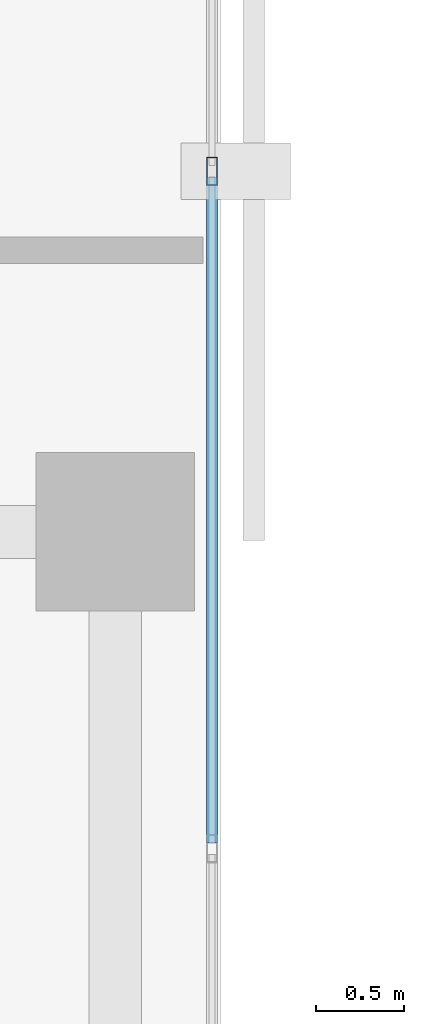
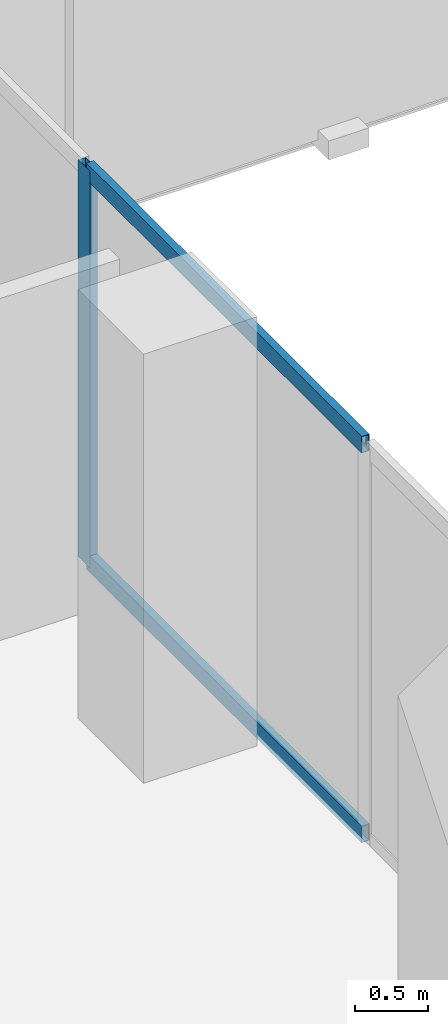
# One storey, part 8 of 34: 3 members, 1 element without a shape of its own.
"""IFC4 building model written with IfcOpenShell, lengths in metres."""

from ifc_helpers import new_model, si_unit, direction, frame, origin, origin_2d, place, context, subcontext, project, spatial, hollow_rectangle, extrude, material, layer, layer_set, material_profile, profile_set, type_object, element, aggregate, save


model = new_model("IFC4")

# Units and contexts
model_context = context("Model", 3, precision=1e-05, world=origin(), true_north=direction((0.0, 1.0)))
body_context = subcontext(model_context, "Body", "Model", "MODEL_VIEW")
ifc_project = project(units=[si_unit("LENGTHUNIT", "METRE"), si_unit("AREAUNIT", "SQUARE_METRE"), si_unit("VOLUMEUNIT", "CUBIC_METRE"), si_unit("PLANEANGLEUNIT", "RADIAN"), si_unit("MASSUNIT", "GRAM", prefix="KILO")], contexts=[model_context])

# Site, building, storey
site_placement = place(None, origin())
site = spatial("IfcSite", under=ifc_project, at=site_placement, CompositionType="ELEMENT")
building_placement = place(site_placement, origin())
building = spatial("IfcBuilding", under=site, at=building_placement, Name="Catumbela Crestline Tower", CompositionType="ELEMENT")
storey_placement = place(building_placement, frame((0.0, 0.0, 111.6)))
storey = spatial("IfcBuildingStorey", under=building, at=storey_placement, Name="L28", CompositionType="ELEMENT", Elevation=111.6)

# Curtain wall, members
ifc_material = material(Name="Aluminium alloy AW-6060-T66", Category="aluminium")
ifc_layer = layer(ifc_material, 0.18, Name="Aluminium alloy AW-6060-T66")
ifc_layer_set = layer_set([ifc_layer], Name="Aluminium alloy AW-6060-T66")
curtain_wall_type = type_object("IfcCurtainWallType", Name="CWU-Z2", PredefinedType="USERDEFINED", material=ifc_layer_set)
curtain_wall_placement = place(storey_placement, origin())
curtain_wall = element("IfcCurtainWall", 1, at=curtain_wall_placement, inside=storey, type_object=curtain_wall_type, Name="L28 Unitised Curtain Wall CW-L28-E2S1", ObjectType="UNITISED", PredefinedType="USERDEFINED")
ifc_material_profile_1 = material_profile(ifc_material, hollow_rectangle(XDim=0.06, YDim=0.16, WallThickness=0.004, at=origin_2d()), Name="ALU 160x60x4")
ifc_profile_set_1 = profile_set([ifc_material_profile_1], Name="Aluminium alloy AW-6060-T66")
member_type_1 = type_object("IfcMemberType", Name="MUL-160X60", PredefinedType="MULLION", material=ifc_profile_set_1)
member_1_placement = place(storey_placement, frame((23.95, 20.05, 0.0), z_axis=(0.0, 0.0, 1.0), x_axis=(-1.0, 0.0, 0.0)))
member_1 = element("IfcMember", 2, at=member_1_placement, type_object=member_type_1, Name="CWU-Z2 mullion 4", PredefinedType="MULLION", context=body_context, shape_type="SweptSolid", body=[
    extrude(hollow_rectangle(XDim=0.06, YDim=0.16, WallThickness=0.004, at=origin_2d()), origin(), (0.0, 0.0, 1.0), 3.33),
])
ifc_material_profile_2 = material_profile(ifc_material, hollow_rectangle(XDim=0.06, YDim=0.14, WallThickness=0.004, at=origin_2d()), Name="ALU 140x60x4")
ifc_profile_set_2 = profile_set([ifc_material_profile_2], Name="Aluminium alloy AW-6060-T66")
member_type_2 = type_object("IfcMemberType", Name="TRN-140X60", PredefinedType="USERDEFINED", material=ifc_profile_set_2)
member_2_placement = place(storey_placement, frame((23.95, 16.2325, 0.03), z_axis=(0.0, 1.0, 0.0), x_axis=(-1.0, 0.0, 0.0)))
member_2 = element("IfcMember", 3, at=member_2_placement, type_object=member_type_2, Name="CWU-Z2 transom 3.1", ObjectType="TRANSOM", PredefinedType="USERDEFINED", context=body_context, shape_type="SweptSolid", body=[
    extrude(hollow_rectangle(XDim=0.06, YDim=0.14, WallThickness=0.004, at=origin_2d()), origin(), (0.0, 0.0, 1.0), 3.785),
])
member_3_placement = place(storey_placement, frame((23.95, 16.2325, 3.3), z_axis=(0.0, 1.0, 0.0), x_axis=(-1.0, 0.0, 0.0)))
member_3 = element("IfcMember", 4, at=member_3_placement, type_object=member_type_2, Name="CWU-Z2 transom 3.2", ObjectType="TRANSOM", PredefinedType="USERDEFINED", context=body_context, shape_type="SweptSolid", body=[
    extrude(hollow_rectangle(XDim=0.06, YDim=0.14, WallThickness=0.004, at=origin_2d()), origin(), (0.0, 0.0, 1.0), 3.785),
])
aggregate(curtain_wall, [member_1, member_2, member_3])

save(model, "model.ifc")
